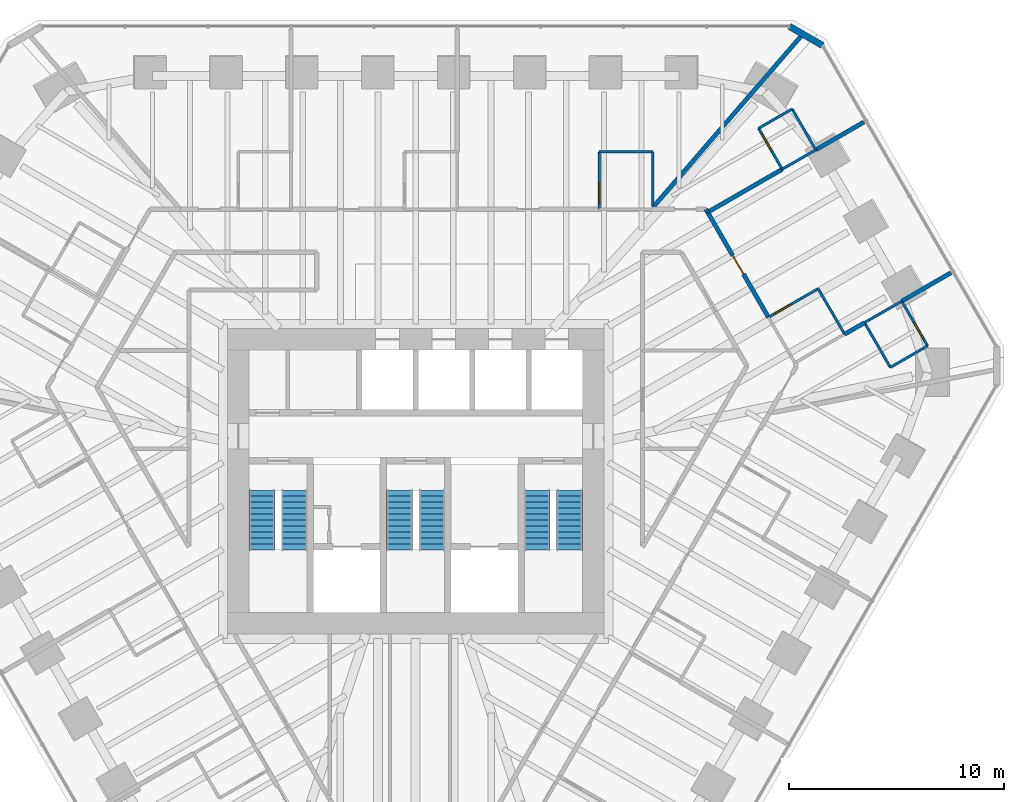
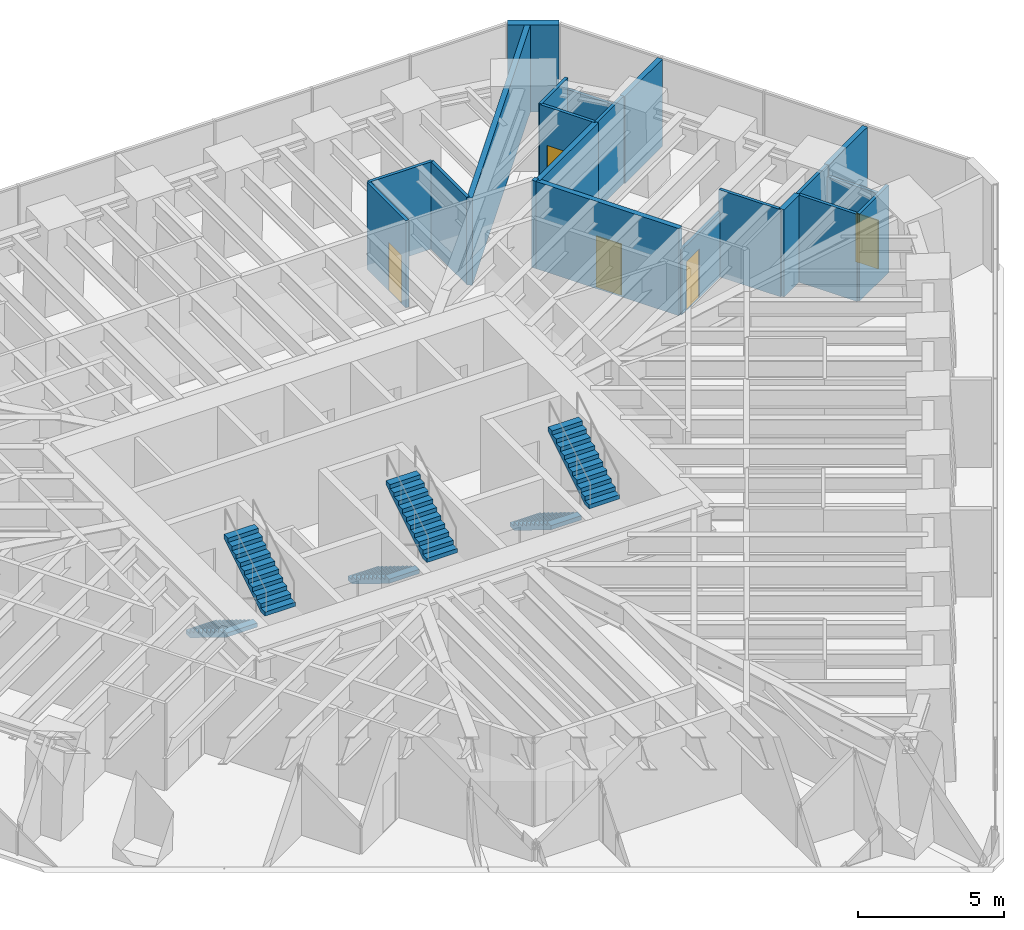
# One storey, part 15 of 16: 21 walls, 6 stair flights, 5 doors, 5 openings, 3 elements without a shape of their own.
"""IFC4 building model written with IfcOpenShell, lengths in metres."""

from ifc_helpers import new_model, si_unit, direction, frame, frame_2d, origin, place, context, subcontext, project, spatial, polyline, rectangle, outline, extrude, material, layer, layer_set, type_object, element, fill, aggregate, save


model = new_model("IFC4")

# Units and contexts
model_context = context("Model", 3, precision=1e-05, world=origin(), true_north=direction((0.0, 1.0)))
body_context = subcontext(model_context, "Body", "Model", "MODEL_VIEW")
ifc_project = project(units=[si_unit("LENGTHUNIT", "METRE"), si_unit("AREAUNIT", "SQUARE_METRE"), si_unit("VOLUMEUNIT", "CUBIC_METRE"), si_unit("PLANEANGLEUNIT", "RADIAN"), si_unit("MASSUNIT", "GRAM", prefix="KILO")], contexts=[model_context])

# Site, building, storey
site_placement = place(None, origin())
site = spatial("IfcSite", under=ifc_project, at=site_placement, CompositionType="ELEMENT")
building_placement = place(site_placement, origin())
building = spatial("IfcBuilding", under=site, at=building_placement, Name="Sandreach Pilgrim Tower", CompositionType="ELEMENT")
storey_placement = place(building_placement, frame((0.0, 0.0, 247.800048828125)))
storey = spatial("IfcBuildingStorey", under=building, at=storey_placement, Name="L62", CompositionType="ELEMENT", Elevation=247.800048828125)

# Wall, opening, door
ifc_material_1 = material(Name="Moisture-resistant gypsum board on steel studs", Category="steel")
ifc_layer_1 = layer(ifc_material_1, 0.1201171875)
ifc_layer_set_1 = layer_set([ifc_layer_1], Name="Bathroom partition 120")
wall_type_1 = type_object("IfcWallType", Name="Bathroom partition 120", PredefinedType="PARTITIONING", material=ifc_layer_set_1)
wall_1_placement = place(storey_placement, frame((8.530029296875, 15.330078125, 0.0), z_axis=(0.0, 0.0, 1.0), x_axis=(0.0, -1.0, 0.0)))
wall_1 = element("IfcWall", 1, at=wall_1_placement, inside=storey, type_object=wall_type_1, Name="Bathroom partition L62-095", PredefinedType="PARTITIONING", context=body_context, shape_type="SweptSolid", body=[
    extrude(rectangle(XDim=2.670166015625, YDim=0.1201171875, at=frame_2d((1.3349609375, 0.0))), origin(), (0.0, 0.0, 1.0), 3.639892578125),
])
opening_1_placement = place(wall_1_placement, frame((1.469970703125, 0.0, 0.0)))
opening_1 = element("IfcOpeningElement", 2, at=opening_1_placement, cuts=wall_1, Name="Opening D09-03B", PredefinedType="OPENING", context=body_context, shape_type="SweptSolid", body=[
    extrude(rectangle(XDim=0.89990234375, YDim=2.030029296875, at=frame_2d((0.449951171875, 1.01513671875))), frame((0.0, 0.06005859375, 0.0), z_axis=(0.0, -1.0, 0.0), x_axis=(1.0, 0.0, 0.0)), (0.0, 0.0, 1.0), 0.1201171875),
])
ifc_material_2 = material(Name="Timber door, steel frame", Category="steel")
door_type_1 = type_object("IfcDoorType", Name="Bathroom door", OperationType="SINGLE_SWING_LEFT", PredefinedType="DOOR", material=ifc_material_2)
door_1_placement = place(opening_1_placement, origin())
door_1 = element("IfcDoor", 3, at=door_1_placement, inside=storey, type_object=door_type_1, Name="Door 6203B", OperationType="SINGLE_SWING_RIGHT", OverallHeight=2.030029296875, OverallWidth=0.89990234375, PredefinedType="DOOR", context=body_context, shape_type="SweptSolid", body=[
    extrude(rectangle(XDim=0.89990234375, YDim=2.030029296875, at=frame_2d((0.449951171875, 1.01513671875))), frame((0.0, 0.02490234375, 0.0), z_axis=(0.0, -1.0, 0.0), x_axis=(1.0, 0.0, 0.0)), (0.0, 0.0, 1.0), 0.050048828125),
])
fill(opening_1, door_1)

# Walls
for number, where, z_axis, x_axis, name in (
    (4, (11.030029296875, 12.830078125, 0.0), (0.0, 0.0, 1.0), (0.0, 1.0, 0.0), "Bathroom partition L62-105"),
    (5, (11.030029296875, 15.330078125, 0.0), (0.0, 0.0, 1.0), (-1.0, 0.0, 0.0), "Bathroom partition L62-106"),
):
    element("IfcWall", number, at=place(storey_placement, frame(where, z_axis=z_axis, x_axis=x_axis)), inside=storey, type_object=wall_type_1, Name=name, PredefinedType="PARTITIONING", context=body_context, shape_type="SweptSolid", body=[
        extrude(rectangle(XDim=2.5, YDim=0.1201171875, at=frame_2d((1.25, 0.0))), origin(), (0.0, 0.0, 1.0), 3.639892578125),
    ])

# Wall, opening, door
wall_2_placement = place(storey_placement, frame((15.949951171875, 16.419921875, 0.0), z_axis=(0.0, 0.0, 1.0), x_axis=(0.501088872721, -0.865395829453, 0.0)))
wall_2 = element("IfcWall", 6, at=wall_2_placement, inside=storey, type_object=wall_type_1, Name="Bathroom partition L62-123", PredefinedType="PARTITIONING", context=body_context, shape_type="SweptSolid", body=[
    extrude(rectangle(XDim=2.1953125, YDim=0.1201171875, at=frame_2d((1.09765625, 0.0))), origin(), (0.0, 0.0, 1.0), 3.639892578125),
])
opening_2_placement = place(wall_2_placement, frame((0.300048828125, 0.0, 0.0)))
opening_2 = element("IfcOpeningElement", 7, at=opening_2_placement, cuts=wall_2, Name="Opening D09-04B", PredefinedType="OPENING", context=body_context, shape_type="SweptSolid", body=[
    extrude(rectangle(XDim=0.89990234375, YDim=2.030029296875, at=frame_2d((0.449951171875, 1.01513671875))), frame((0.0, 0.06005859375, 0.0), z_axis=(0.0, -1.0, 0.0), x_axis=(1.0, 0.0, 0.0)), (0.0, 0.0, 1.0), 0.1201171875),
])
door_2_placement = place(opening_2_placement, origin())
door_2 = element("IfcDoor", 8, at=door_2_placement, inside=storey, type_object=door_type_1, Name="Door 6204B", OperationType="SINGLE_SWING_LEFT", OverallHeight=2.030029296875, OverallWidth=0.89990234375, PredefinedType="DOOR", context=body_context, shape_type="SweptSolid", body=[
    extrude(rectangle(XDim=0.89990234375, YDim=2.030029296875, at=frame_2d((0.449951171875, 1.01513671875))), frame((0.0, 0.02490234375, 0.0), z_axis=(0.0, -1.0, 0.0), x_axis=(1.0, 0.0, 0.0)), (0.0, 0.0, 1.0), 0.050048828125),
])
fill(opening_2, door_2)

# Walls
for number, where, z_axis, x_axis, name in (
    (9, (17.050048828125, 14.52001953125, 0.0), (0.0, 0.0, 1.0), (0.866670415019, 0.498881139883, 0.0), "Bathroom partition L62-129"),
    (10, (17.510009765625, 17.320068359375, 0.0), (0.0, 0.0, 1.0), (-0.866158505053, -0.499769390944, 0.0), "Bathroom partition L62-131"),
):
    element("IfcWall", number, at=place(storey_placement, frame(where, z_axis=z_axis, x_axis=x_axis)), inside=storey, type_object=wall_type_1, Name=name, PredefinedType="PARTITIONING", context=body_context, shape_type="SweptSolid", body=[
        extrude(rectangle(XDim=1.801025390625, YDim=0.1201171875, at=frame_2d((0.900390625, 0.0))), origin(), (0.0, 0.0, 1.0), 3.639892578125),
    ])
wall_3_placement = place(storey_placement, frame((18.610107421875, 15.419921875, 0.0), z_axis=(0.0, 0.0, 1.0), x_axis=(-0.501040653706, 0.865423747845, 0.0)))
element("IfcWall", 11, at=wall_3_placement, inside=storey, type_object=wall_type_1, Name="Bathroom partition L62-134", PredefinedType="PARTITIONING", context=body_context, shape_type="SweptSolid", body=[
    extrude(rectangle(XDim=2.195556640625, YDim=0.1201171875, at=frame_2d((1.09765625, 0.0))), origin(), (0.0, 0.0, 1.0), 3.185302734375),
])

# Wall, opening, door
wall_4_placement = place(storey_placement, frame((18.719970703125, 8.9599609375, 0.0), z_axis=(0.0, 0.0, 1.0), x_axis=(-0.866654860089, -0.498908161372, 0.0)))
wall_4 = element("IfcWall", 12, at=wall_4_placement, inside=storey, type_object=wall_type_1, Name="Bathroom partition L62-136", PredefinedType="PARTITIONING", context=body_context, shape_type="SweptSolid", body=[
    extrude(rectangle(XDim=2.66552734375, YDim=0.1201171875, at=frame_2d((1.332763671875, 0.0))), origin(), (0.0, 0.0, 1.0), 2.712890625),
])
opening_3_placement = place(wall_4_placement, frame((1.465576171875, 0.0, 0.0)))
opening_3 = element("IfcOpeningElement", 13, at=opening_3_placement, cuts=wall_4, Name="Opening D09-05B", PredefinedType="OPENING", context=body_context, shape_type="SweptSolid", body=[
    extrude(rectangle(XDim=0.89990234375, YDim=2.030029296875, at=frame_2d((0.449951171875, 1.01513671875))), frame((0.0, 0.06005859375, 0.0), z_axis=(0.0, -1.0, 0.0), x_axis=(1.0, 0.0, 0.0)), (0.0, 0.0, 1.0), 0.1201171875),
])
door_3_placement = place(opening_3_placement, origin())
door_3 = element("IfcDoor", 14, at=door_3_placement, inside=storey, type_object=door_type_1, Name="Door 6205B", OperationType="SINGLE_SWING_RIGHT", OverallHeight=2.030029296875, OverallWidth=0.89990234375, PredefinedType="DOOR", context=body_context, shape_type="SweptSolid", body=[
    extrude(rectangle(XDim=0.89990234375, YDim=2.030029296875, at=frame_2d((0.449951171875, 1.01513671875))), frame((0.0, 0.02490234375, 0.0), z_axis=(0.0, -1.0, 0.0), x_axis=(1.0, 0.0, 0.0)), (0.0, 0.0, 1.0), 0.050048828125),
])
fill(opening_3, door_3)

# Walls
wall_5_placement = place(storey_placement, frame((19.949951171875, 6.85009765625, 0.0), z_axis=(0.0, 0.0, 1.0), x_axis=(-0.503634814725, 0.863916647251, 0.0)))
element("IfcWall", 15, at=wall_5_placement, inside=storey, type_object=wall_type_1, Name="Bathroom partition L62-137", PredefinedType="PARTITIONING", context=body_context, shape_type="SweptSolid", body=[
    extrude(rectangle(XDim=2.442138671875, YDim=0.1201171875, at=frame_2d((1.22119140625, 0.0))), origin(), (0.0, 0.0, 1.0), 3.639892578125),
])
wall_6_placement = place(storey_placement, frame((20.878173828125, 7.383056640625, 0.0), z_axis=(0.0, 0.0, 1.0), x_axis=(0.866697688948, 0.498833755847, 0.0)))
element("IfcWall", 16, at=wall_6_placement, inside=storey, type_object=wall_type_1, Name="Bathroom partition L62-138", PredefinedType="PARTITIONING", context=body_context, shape_type="SweptSolid", body=[
    extrude(rectangle(XDim=1.998291015625, YDim=0.1201171875, at=frame_2d((0.9990234375, 0.0))), origin(), (0.0, 0.0, 1.0), 3.639892578125),
])
wall_7_placement = place(storey_placement, frame((20.8798828125, 7.3798828125, 0.0), z_axis=(0.0, 0.0, 1.0), x_axis=(0.499813401482, -0.866133109688, 0.0)))
element("IfcWall", 17, at=wall_7_placement, inside=storey, type_object=wall_type_1, Name="Bathroom partition L62-140", PredefinedType="PARTITIONING", context=body_context, shape_type="SweptSolid", body=[
    extrude(rectangle(XDim=2.4013671875, YDim=0.1201171875, at=frame_2d((1.20068359375, 0.0))), origin(), (0.0, 0.0, 1.0), 3.639892578125),
])
wall_8_placement = place(storey_placement, frame((22.080078125, 5.300048828125, 0.0), z_axis=(0.0, 0.0, 1.0), x_axis=(0.865766263046, 0.50044857655, 0.0)))
element("IfcWall", 18, at=wall_8_placement, inside=storey, type_object=wall_type_1, Name="Bathroom partition L62-141", PredefinedType="PARTITIONING", context=body_context, shape_type="SweptSolid", body=[
    extrude(rectangle(XDim=1.998291015625, YDim=0.1201171875, at=frame_2d((0.9990234375, 0.0))), origin(), (0.0, 0.0, 1.0), 3.639892578125),
])

# Wall, opening, door
wall_9_placement = place(storey_placement, frame((23.81005859375, 6.300048828125, 0.0), z_axis=(0.0, 0.0, 1.0), x_axis=(-0.499737123639, 0.866177122335, 0.0)))
wall_9 = element("IfcWall", 19, at=wall_9_placement, inside=storey, type_object=wall_type_1, Name="Bathroom partition L62-143", PredefinedType="PARTITIONING", context=body_context, shape_type="SweptSolid", body=[
    extrude(rectangle(XDim=2.401123046875, YDim=0.1201171875, at=frame_2d((1.20068359375, 0.0))), origin(), (0.0, 0.0, 1.0), 3.185302734375),
])
opening_4_placement = place(wall_9_placement, frame((0.35009765625, 0.0, 0.0)))
opening_4 = element("IfcOpeningElement", 20, at=opening_4_placement, cuts=wall_9, Name="Opening D09-06B", PredefinedType="OPENING", context=body_context, shape_type="SweptSolid", body=[
    extrude(rectangle(XDim=0.89990234375, YDim=2.030029296875, at=frame_2d((0.449951171875, 1.01513671875))), frame((0.0, 0.06005859375, 0.0), z_axis=(0.0, -1.0, 0.0), x_axis=(1.0, 0.0, 0.0)), (0.0, 0.0, 1.0), 0.1201171875),
])
door_4_placement = place(opening_4_placement, origin())
door_4 = element("IfcDoor", 21, at=door_4_placement, inside=storey, type_object=door_type_1, Name="Door 6206B", OperationType="SINGLE_SWING_LEFT", OverallHeight=2.030029296875, OverallWidth=0.89990234375, PredefinedType="DOOR", context=body_context, shape_type="SweptSolid", body=[
    extrude(rectangle(XDim=0.89990234375, YDim=2.030029296875, at=frame_2d((0.449951171875, 1.01513671875))), frame((0.0, 0.02490234375, 0.0), z_axis=(0.0, -1.0, 0.0), x_axis=(1.0, 0.0, 0.0)), (0.0, 0.0, 1.0), 0.050048828125),
])
fill(opening_4, door_4)

# Wall
ifc_material_3 = material(Name="Gypsum board on steel studs, two layers each side", Category="steel")
ifc_layer_2 = layer(ifc_material_3, 0.199951171875)
ifc_layer_set_2 = layer_set([ifc_layer_2], Name="Corridor wall 200")
wall_type_2 = type_object("IfcWallType", Name="Corridor wall 200", PredefinedType="PARTITIONING", material=ifc_layer_set_2)
wall_10_placement = place(storey_placement, frame((13.5, 12.659912109375, 0.0), z_axis=(0.0, 0.0, 1.0), x_axis=(0.501036270542, -0.865426285481, 0.0)))
element("IfcWall", 22, at=wall_10_placement, inside=storey, type_object=wall_type_2, Name="Corridor wall L62-115", PredefinedType="PARTITIONING", context=body_context, shape_type="SweptSolid", body=[
    extrude(rectangle(XDim=0.166259765625, YDim=0.199951171875, at=frame_2d((0.0830078125, 0.0))), origin(), (0.0, 0.0, 1.0), 3.639892578125),
])

# Wall, opening, door
wall_11_placement = place(storey_placement, frame((13.583251953125, 12.51611328125, 0.0), z_axis=(0.0, 0.0, 1.0), x_axis=(0.500743006408, -0.865596003649, 0.0)))
wall_11 = element("IfcWall", 23, at=wall_11_placement, inside=storey, type_object=wall_type_2, Name="Corridor wall L62-116", PredefinedType="PARTITIONING", context=body_context, shape_type="SweptSolid", body=[
    extrude(rectangle(XDim=5.64501953125, YDim=0.199951171875, at=frame_2d((2.822509765625, 0.0))), origin(), (0.0, 0.0, 1.0), 3.639892578125),
])
opening_5_placement = place(wall_11_placement, frame((2.322509765625, 0.0, 0.0)))
opening_5 = element("IfcOpeningElement", 24, at=opening_5_placement, cuts=wall_11, Name="Opening D10-05", PredefinedType="OPENING", context=body_context, shape_type="SweptSolid", body=[
    extrude(rectangle(XDim=1.0, YDim=2.1298828125, at=frame_2d((0.5, 1.06494140625))), frame((0.0, 0.10009765625, 0.0), z_axis=(0.0, -1.0, 0.0), x_axis=(1.0, 0.0, 0.0)), (0.0, 0.0, 1.0), 0.199951171875),
])
ifc_material_4 = material(Name="Steel door and frame", Category="steel")
door_type_2 = type_object("IfcDoorType", Name="Guest room entry door", OperationType="SINGLE_SWING_LEFT", PredefinedType="DOOR", material=ifc_material_4)
door_5_placement = place(opening_5_placement, origin())
door_5 = element("IfcDoor", 25, at=door_5_placement, inside=storey, type_object=door_type_2, Name="Door 6205", OperationType="SINGLE_SWING_LEFT", OverallHeight=2.1298828125, OverallWidth=1.0, PredefinedType="DOOR", context=body_context, shape_type="SweptSolid", body=[
    extrude(rectangle(XDim=1.0, YDim=2.1298828125, at=frame_2d((0.5, 1.06494140625))), frame((0.0, 0.02490234375, 0.0), z_axis=(0.0, -1.0, 0.0), x_axis=(1.0, 0.0, 0.0)), (0.0, 0.0, 1.0), 0.050048828125),
])
fill(opening_5, door_5)

# Walls
ifc_material_5 = material(Name="Double steel stud acoustic wall, gypsum board", Category="steel")
ifc_layer_3 = layer(ifc_material_5, 0.199951171875)
ifc_layer_set_3 = layer_set([ifc_layer_3], Name="Party wall 200")
wall_type_3 = type_object("IfcWallType", Name="Party wall 200", PredefinedType="PARTITIONING", material=ifc_layer_set_3)
wall_12_placement = place(storey_placement, frame((11.039794921875, 12.751220703125, 0.0), z_axis=(0.0, 0.0, 1.0), x_axis=(0.654384042683, 0.756162366613, 0.0)))
element("IfcWall", 26, at=wall_12_placement, inside=storey, type_object=wall_type_3, Name="Party wall L62-107", PredefinedType="PARTITIONING", context=body_context, shape_type="SweptSolid", body=[
    extrude(rectangle(XDim=10.667236328125, YDim=0.199951171875, at=frame_2d((5.33349609375, 0.0))), origin(), (0.0, 0.0, 1.0), 3.639892578125),
])
wall_13_placement = place(storey_placement, frame((13.59423828125, 12.5224609375, 0.0), z_axis=(0.0, 0.0, 1.0), x_axis=(0.866085778049, 0.499895414124, 0.0)))
element("IfcWall", 27, at=wall_13_placement, inside=storey, type_object=wall_type_3, Name="Party wall L62-117", PredefinedType="PARTITIONING", context=body_context, shape_type="SweptSolid", body=[
    extrude(rectangle(XDim=3.991455078125, YDim=0.199951171875, at=frame_2d((1.99560546875, 0.0))), origin(), (0.0, 0.0, 1.0), 3.639892578125),
])
wall_14_placement = place(storey_placement, frame((18.61083984375, 15.41845703125, 0.0), z_axis=(0.0, 0.0, 1.0), x_axis=(0.865870535136, 0.500268144481, 0.0)))
element("IfcWall", 28, at=wall_14_placement, inside=storey, type_object=wall_type_3, Name="Party wall L62-135", PredefinedType="PARTITIONING", context=body_context, shape_type="SweptSolid", body=[
    extrude(rectangle(XDim=2.58154296875, YDim=0.199951171875, at=frame_2d((1.290771484375, 0.0))), origin(), (0.0, 0.0, 1.0), 3.639892578125),
])
wall_15_placement = place(storey_placement, frame((20.8798828125, 7.3798828125, 0.0), z_axis=(0.0, 0.0, 1.0), x_axis=(-0.864855730486, -0.502020483094, 0.0)))
element("IfcWall", 29, at=wall_15_placement, inside=storey, type_object=wall_type_3, Name="Party wall L62-139", PredefinedType="PARTITIONING", context=body_context, shape_type="SweptSolid", body=[
    extrude(rectangle(XDim=1.0751953125, YDim=0.199951171875, at=frame_2d((0.53759765625, 0.0))), origin(), (0.0, 0.0, 1.0), 3.639892578125),
])
wall_16_placement = place(storey_placement, frame((22.610107421875, 8.3798828125, 0.0), z_axis=(0.0, 0.0, 1.0), x_axis=(0.865974560031, 0.500088053625, 0.0)))
element("IfcWall", 30, at=wall_16_placement, inside=storey, type_object=wall_type_3, Name="Party wall L62-142", PredefinedType="PARTITIONING", context=body_context, shape_type="SweptSolid", body=[
    extrude(rectangle(XDim=2.6396484375, YDim=0.199951171875, at=frame_2d((1.31982421875, 0.0))), origin(), (0.0, 0.0, 1.0), 3.639892578125),
])
ifc_material_6 = material(Name="Terracotta rainscreen on concrete", Category="masonry")
ifc_layer_4 = layer(ifc_material_6, 0.300048828125)
ifc_layer_set_4 = layer_set([ifc_layer_4], Name="Terracotta chamfer pier")
wall_type_4 = type_object("IfcWallType", Name="Terracotta chamfer pier", PredefinedType="SOLIDWALL", material=ifc_layer_set_4)
wall_17_placement = place(storey_placement, frame((17.389892578125, 21.16015625, 0.0), z_axis=(0.0, 0.0, 1.0), x_axis=(0.866036293601, -0.499981137809, 0.0)))
element("IfcWall", 31, at=wall_17_placement, inside=storey, type_object=wall_type_4, Name="Chamfer pier L62 N", PredefinedType="SOLIDWALL", context=body_context, shape_type="SweptSolid", body=[
    extrude(rectangle(XDim=1.77001953125, YDim=0.300048828125, at=frame_2d((0.885009765625, 0.0))), origin(), (0.0, 0.0, 1.0), 3.639892578125),
])

# Stair, stair flights
ifc_material_7 = material(Name="Concrete 8000 psi", Category="concrete")
stair_type = type_object("IfcStairType", Name="Core exit stair", PredefinedType="HALF_TURN_STAIR", material=ifc_material_7)
stair_1_placement = place(storey_placement, origin())
stair_1 = element("IfcStair", 32, at=stair_1_placement, inside=storey, type_object=stair_type, Name="Exit stair ST1 L62", PredefinedType="HALF_TURN_STAIR")
ifc_material_8 = material(Name="Concrete 8000 psi", Category="concrete")
stair_flight_type = type_object("IfcStairFlightType", Name="Core stair flight 1200", PredefinedType="STRAIGHT", material=ifc_material_8)
stair_flight_1_placement = place(storey_placement, frame((-7.14990234375, -0.39990234375, 0.0), z_axis=(0.0, 0.0, 1.0), x_axis=(0.0, -1.0, 0.0)))
stair_flight_1 = element("IfcStairFlight", 33, at=stair_flight_1_placement, type_object=stair_flight_type, Name="ST1 flight 1", NumberOfRisers=11, NumberOfTreads=10, PredefinedType="STRAIGHT", RiserHeight=0.172727273, TreadLength=0.28, context=body_context, shape_type="SweptSolid", body=[
    extrude(outline(polyline([(0.0, 0.0), (0.0, 0.172607421875), (0.280029296875, 0.172607421875), (0.280029296875, 0.345458984375), (0.56005859375, 0.345458984375), (0.56005859375, 0.51806640625), (0.840087890625, 0.51806640625), (0.840087890625, 0.69091796875), (1.1201171875, 0.69091796875), (1.1201171875, 0.863525390625), (1.39990234375, 0.863525390625), (1.39990234375, 1.036376953125), (1.679931640625, 1.036376953125), (1.679931640625, 1.208984375), (1.9599609375, 1.208984375), (1.9599609375, 1.3818359375), (2.239990234375, 1.3818359375), (2.239990234375, 1.554443359375), (2.52001953125, 1.554443359375), (2.52001953125, 1.727294921875), (2.800048828125, 1.727294921875), (2.800048828125, 1.89990234375), (2.800048828125, 1.551025390625), (0.285400390625, 0.0), (0.0, 0.0)])), frame((0.0, 0.60009765625, 0.0), z_axis=(0.0, -1.0, 0.0), x_axis=(1.0, 0.0, 0.0)), (0.0, 0.0, 1.0), 1.199951171875),
])
stair_flight_2_placement = place(storey_placement, frame((-5.64990234375, -3.199951171875, 1.89990234375), z_axis=(0.0, 0.0, 1.0), x_axis=(0.0, 1.0, 0.0)))
stair_flight_2 = element("IfcStairFlight", 34, at=stair_flight_2_placement, type_object=stair_flight_type, Name="ST1 flight 2", NumberOfRisers=11, NumberOfTreads=10, PredefinedType="STRAIGHT", RiserHeight=0.172727273, TreadLength=0.28, context=body_context, shape_type="SweptSolid", body=[
    extrude(outline(polyline([(0.0, 0.0), (0.0, 0.172607421875), (0.280029296875, 0.172607421875), (0.280029296875, 0.345458984375), (0.56005859375, 0.345458984375), (0.56005859375, 0.51806640625), (0.840087890625, 0.51806640625), (0.840087890625, 0.69091796875), (1.1201171875, 0.69091796875), (1.1201171875, 0.863525390625), (1.39990234375, 0.863525390625), (1.39990234375, 1.036376953125), (1.679931640625, 1.036376953125), (1.679931640625, 1.208984375), (1.9599609375, 1.208984375), (1.9599609375, 1.3818359375), (2.239990234375, 1.3818359375), (2.239990234375, 1.554443359375), (2.52001953125, 1.554443359375), (2.52001953125, 1.727294921875), (2.800048828125, 1.727294921875), (2.800048828125, 1.89990234375), (2.800048828125, 1.551025390625), (0.285400390625, 0.0), (0.0, 0.0)])), frame((0.0, 0.60009765625, 0.0), z_axis=(0.0, -1.0, 0.0), x_axis=(1.0, 0.0, 0.0)), (0.0, 0.0, 1.0), 1.199951171875),
])
aggregate(stair_1, [stair_flight_1, stair_flight_2])

stair_2_placement = place(storey_placement, origin())
stair_2 = element("IfcStair", 35, at=stair_2_placement, inside=storey, type_object=stair_type, Name="Exit stair ST3 L62", PredefinedType="HALF_TURN_STAIR")
stair_flight_3_placement = place(storey_placement, frame((-0.75, -0.39990234375, 0.0), z_axis=(0.0, 0.0, 1.0), x_axis=(0.0, -1.0, 0.0)))
stair_flight_3 = element("IfcStairFlight", 36, at=stair_flight_3_placement, type_object=stair_flight_type, Name="ST3 flight 1", NumberOfRisers=11, NumberOfTreads=10, PredefinedType="STRAIGHT", RiserHeight=0.172727273, TreadLength=0.28, context=body_context, shape_type="SweptSolid", body=[
    extrude(outline(polyline([(0.0, 0.0), (0.0, 0.172607421875), (0.280029296875, 0.172607421875), (0.280029296875, 0.345458984375), (0.56005859375, 0.345458984375), (0.56005859375, 0.51806640625), (0.840087890625, 0.51806640625), (0.840087890625, 0.69091796875), (1.1201171875, 0.69091796875), (1.1201171875, 0.863525390625), (1.39990234375, 0.863525390625), (1.39990234375, 1.036376953125), (1.679931640625, 1.036376953125), (1.679931640625, 1.208984375), (1.9599609375, 1.208984375), (1.9599609375, 1.3818359375), (2.239990234375, 1.3818359375), (2.239990234375, 1.554443359375), (2.52001953125, 1.554443359375), (2.52001953125, 1.727294921875), (2.800048828125, 1.727294921875), (2.800048828125, 1.89990234375), (2.800048828125, 1.551025390625), (0.285400390625, 0.0), (0.0, 0.0)])), frame((0.0, 0.60009765625, 0.0), z_axis=(0.0, -1.0, 0.0), x_axis=(1.0, 0.0, 0.0)), (0.0, 0.0, 1.0), 1.199951171875),
])
stair_flight_4_placement = place(storey_placement, frame((0.75, -3.199951171875, 1.89990234375), z_axis=(0.0, 0.0, 1.0), x_axis=(0.0, 1.0, 0.0)))
stair_flight_4 = element("IfcStairFlight", 37, at=stair_flight_4_placement, type_object=stair_flight_type, Name="ST3 flight 2", NumberOfRisers=11, NumberOfTreads=10, PredefinedType="STRAIGHT", RiserHeight=0.172727273, TreadLength=0.28, context=body_context, shape_type="SweptSolid", body=[
    extrude(outline(polyline([(0.0, 0.0), (0.0, 0.172607421875), (0.280029296875, 0.172607421875), (0.280029296875, 0.345458984375), (0.56005859375, 0.345458984375), (0.56005859375, 0.51806640625), (0.840087890625, 0.51806640625), (0.840087890625, 0.69091796875), (1.1201171875, 0.69091796875), (1.1201171875, 0.863525390625), (1.39990234375, 0.863525390625), (1.39990234375, 1.036376953125), (1.679931640625, 1.036376953125), (1.679931640625, 1.208984375), (1.9599609375, 1.208984375), (1.9599609375, 1.3818359375), (2.239990234375, 1.3818359375), (2.239990234375, 1.554443359375), (2.52001953125, 1.554443359375), (2.52001953125, 1.727294921875), (2.800048828125, 1.727294921875), (2.800048828125, 1.89990234375), (2.800048828125, 1.551025390625), (0.285400390625, 0.0), (0.0, 0.0)])), frame((0.0, 0.60009765625, 0.0), z_axis=(0.0, -1.0, 0.0), x_axis=(1.0, 0.0, 0.0)), (0.0, 0.0, 1.0), 1.199951171875),
])
aggregate(stair_2, [stair_flight_3, stair_flight_4])

stair_3_placement = place(storey_placement, origin())
stair_3 = element("IfcStair", 38, at=stair_3_placement, inside=storey, type_object=stair_type, Name="Exit stair ST2 L62", PredefinedType="HALF_TURN_STAIR")
stair_flight_5_placement = place(storey_placement, frame((5.64990234375, -0.39990234375, 0.0), z_axis=(0.0, 0.0, 1.0), x_axis=(0.0, -1.0, 0.0)))
stair_flight_5 = element("IfcStairFlight", 39, at=stair_flight_5_placement, type_object=stair_flight_type, Name="ST2 flight 1", NumberOfRisers=11, NumberOfTreads=10, PredefinedType="STRAIGHT", RiserHeight=0.172727273, TreadLength=0.28, context=body_context, shape_type="SweptSolid", body=[
    extrude(outline(polyline([(0.0, 0.0), (0.0, 0.172607421875), (0.280029296875, 0.172607421875), (0.280029296875, 0.345458984375), (0.56005859375, 0.345458984375), (0.56005859375, 0.51806640625), (0.840087890625, 0.51806640625), (0.840087890625, 0.69091796875), (1.1201171875, 0.69091796875), (1.1201171875, 0.863525390625), (1.39990234375, 0.863525390625), (1.39990234375, 1.036376953125), (1.679931640625, 1.036376953125), (1.679931640625, 1.208984375), (1.9599609375, 1.208984375), (1.9599609375, 1.3818359375), (2.239990234375, 1.3818359375), (2.239990234375, 1.554443359375), (2.52001953125, 1.554443359375), (2.52001953125, 1.727294921875), (2.800048828125, 1.727294921875), (2.800048828125, 1.89990234375), (2.800048828125, 1.551025390625), (0.285400390625, 0.0), (0.0, 0.0)])), frame((0.0, 0.60009765625, 0.0), z_axis=(0.0, -1.0, 0.0), x_axis=(1.0, 0.0, 0.0)), (0.0, 0.0, 1.0), 1.199951171875),
])
stair_flight_6_placement = place(storey_placement, frame((7.14990234375, -3.199951171875, 1.89990234375), z_axis=(0.0, 0.0, 1.0), x_axis=(0.0, 1.0, 0.0)))
stair_flight_6 = element("IfcStairFlight", 40, at=stair_flight_6_placement, type_object=stair_flight_type, Name="ST2 flight 2", NumberOfRisers=11, NumberOfTreads=10, PredefinedType="STRAIGHT", RiserHeight=0.172727273, TreadLength=0.28, context=body_context, shape_type="SweptSolid", body=[
    extrude(outline(polyline([(0.0, 0.0), (0.0, 0.172607421875), (0.280029296875, 0.172607421875), (0.280029296875, 0.345458984375), (0.56005859375, 0.345458984375), (0.56005859375, 0.51806640625), (0.840087890625, 0.51806640625), (0.840087890625, 0.69091796875), (1.1201171875, 0.69091796875), (1.1201171875, 0.863525390625), (1.39990234375, 0.863525390625), (1.39990234375, 1.036376953125), (1.679931640625, 1.036376953125), (1.679931640625, 1.208984375), (1.9599609375, 1.208984375), (1.9599609375, 1.3818359375), (2.239990234375, 1.3818359375), (2.239990234375, 1.554443359375), (2.52001953125, 1.554443359375), (2.52001953125, 1.727294921875), (2.800048828125, 1.727294921875), (2.800048828125, 1.89990234375), (2.800048828125, 1.551025390625), (0.285400390625, 0.0), (0.0, 0.0)])), frame((0.0, 0.60009765625, 0.0), z_axis=(0.0, -1.0, 0.0), x_axis=(1.0, 0.0, 0.0)), (0.0, 0.0, 1.0), 1.199951171875),
])
aggregate(stair_3, [stair_flight_5, stair_flight_6])

save(model, "model.ifc")
